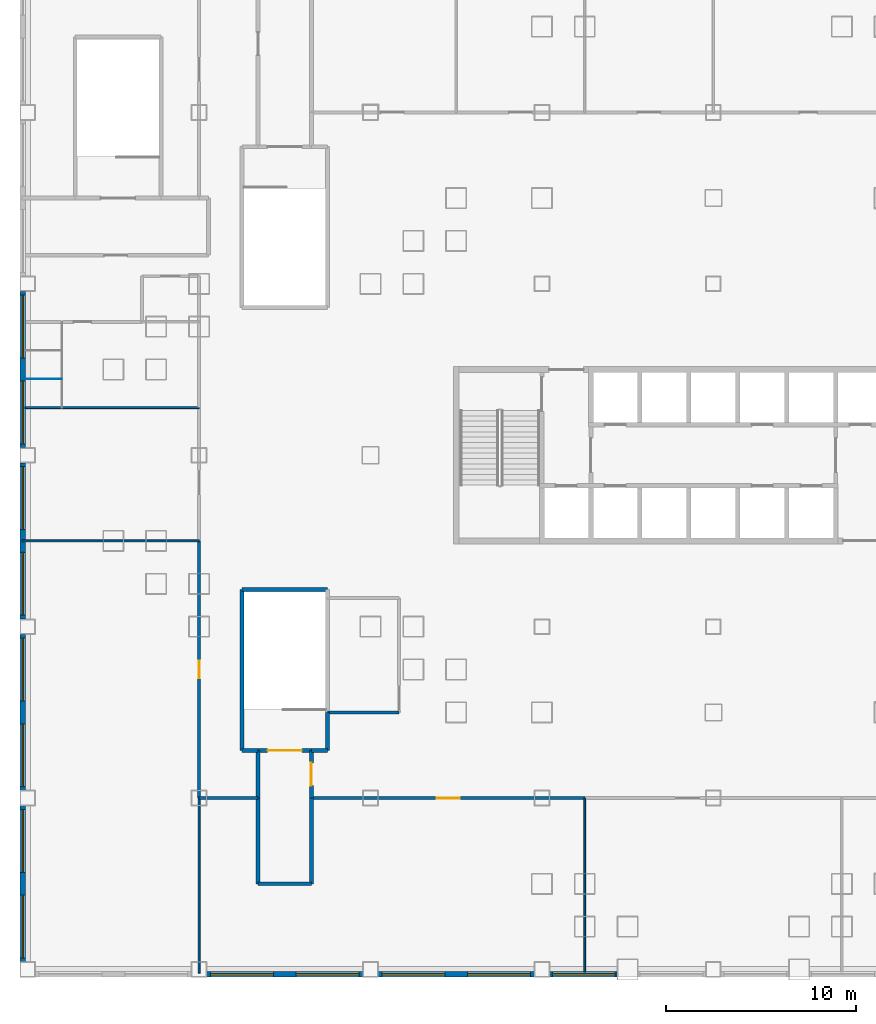
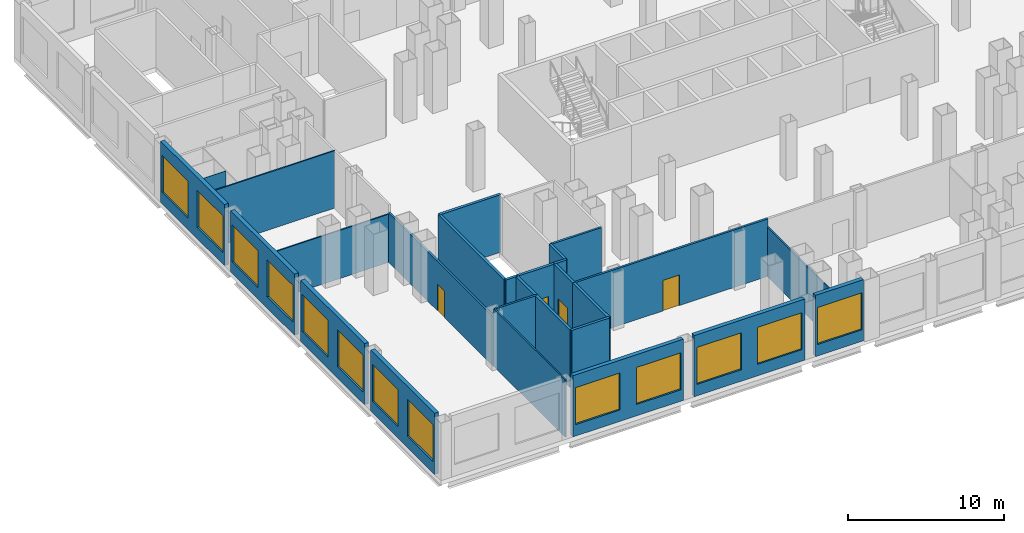
# One storey, part 2 of 13: 27 walls, 13 windows, 4 doors, 17 openings.
"""IFC4 building model written with IfcOpenShell, lengths in metres."""

from ifc_helpers import new_model, si_unit, direction, frame, frame_2d, origin, place, context, subcontext, project, spatial, rectangle, extrude, material, layer, layer_set, type_object, element, fill, save


model = new_model("IFC4")

# Units and contexts
model_context = context("Model", 3, precision=1e-05, world=origin(), true_north=direction((0.0, 1.0)))
body_context = subcontext(model_context, "Body", "Model", "MODEL_VIEW")
ifc_project = project(units=[si_unit("LENGTHUNIT", "METRE"), si_unit("AREAUNIT", "SQUARE_METRE"), si_unit("VOLUMEUNIT", "CUBIC_METRE"), si_unit("PLANEANGLEUNIT", "RADIAN"), si_unit("MASSUNIT", "GRAM", prefix="KILO")], contexts=[model_context])

# Site, building, storey
site_placement = place(None, origin())
site = spatial("IfcSite", under=ifc_project, at=site_placement, CompositionType="ELEMENT")
building_placement = place(site_placement, origin())
building = spatial("IfcBuilding", under=site, at=building_placement, Name="Caravel Reach Hotel and Residences", CompositionType="ELEMENT")
storey_placement = place(building_placement, frame((0.0, 0.0, 28.800048828125)))
storey = spatial("IfcBuildingStorey", under=building, at=storey_placement, Name="L05", CompositionType="ELEMENT", Elevation=28.800048828125)

# Wall
ifc_material_1 = material(Name="Autoclaved aerated block wall")
ifc_layer_1 = layer(ifc_material_1, 0.199951171875)
ifc_layer_set_1 = layer_set([ifc_layer_1], Name="Compartment wall 200 mm EI 120")
wall_type_1 = type_object("IfcWallType", Name="Compartment wall 200 mm EI 120", PredefinedType="PARTITIONING", material=ifc_layer_set_1)
wall_1_placement = place(storey_placement, frame((7.60009765625, 4.5, 0.0), z_axis=(0.0, 0.0, 1.0), x_axis=(1.0, 0.0, 0.0)))
element("IfcWall", 1, at=wall_1_placement, inside=storey, type_object=wall_type_1, Name="L05 wall w052", PredefinedType="PARTITIONING", context=body_context, shape_type="SweptSolid", body=[
    extrude(rectangle(XDim=2.7998046875, YDim=0.199951171875, at=frame_2d((1.39990234375, 0.0))), origin(), (0.0, 0.0, 1.0), 4.5),
])

# Wall, opening, door
wall_2_placement = place(storey_placement, frame((10.39990234375, 9.0, 0.0), z_axis=(0.0, 0.0, 1.0), x_axis=(0.0, 1.0, 0.0)))
wall_2 = element("IfcWall", 2, at=wall_2_placement, inside=storey, type_object=wall_type_1, Name="L05 wall w063", PredefinedType="PARTITIONING", context=body_context, shape_type="SweptSolid", body=[
    extrude(rectangle(XDim=2.5, YDim=0.199951171875, at=frame_2d((1.25, 0.0))), origin(), (0.0, 0.0, 1.0), 4.5),
])
opening_1_placement = place(wall_2_placement, frame((0.64990234375, 0.0, 0.0)))
opening_1 = element("IfcOpeningElement", 3, at=opening_1_placement, cuts=wall_2, Name="Opening D05-018", PredefinedType="OPENING", context=body_context, shape_type="SweptSolid", body=[
    extrude(rectangle(XDim=1.199951171875, YDim=2.10009765625, at=frame_2d((0.60009765625, 1.050048828125))), frame((0.0, 0.10986328125, 0.0), z_axis=(0.0, -1.0, 0.0), x_axis=(1.0, 0.0, 0.0)), (0.0, 0.0, 1.0), 0.219970703125),
])
ifc_material_2 = material(Name="Steel fire door leaf", Category="steel")
door_type_1 = type_object("IfcDoorType", Name="Fire lobby door 1200 x 2100 EI 90", OperationType="SINGLE_SWING_LEFT", PredefinedType="DOOR", material=ifc_material_2)
door_1_placement = place(opening_1_placement, origin())
door_1 = element("IfcDoor", 4, at=door_1_placement, inside=storey, type_object=door_type_1, Name="door D05-018", OperationType="SINGLE_SWING_LEFT", OverallHeight=2.10009765625, OverallWidth=1.199951171875, PredefinedType="DOOR", context=body_context, shape_type="SweptSolid", body=[
    extrude(rectangle(XDim=1.199951171875, YDim=2.10009765625, at=frame_2d((0.60009765625, 1.050048828125))), frame((0.0, 0.02490234375, 0.0), z_axis=(0.0, -1.0, 0.0), x_axis=(1.0, 0.0, 0.0)), (0.0, 0.0, 1.0), 0.050048828125),
])
fill(opening_1, door_1)

# Walls
wall_3_placement = place(storey_placement, frame((10.39990234375, 4.5, 0.0), z_axis=(0.0, 0.0, 1.0), x_axis=(0.0, 1.0, 0.0)))
element("IfcWall", 5, at=wall_3_placement, inside=storey, type_object=wall_type_1, Name="L05 wall w064", PredefinedType="PARTITIONING", context=body_context, shape_type="SweptSolid", body=[
    extrude(rectangle(XDim=4.5, YDim=0.199951171875, at=frame_2d((2.25, 0.0))), origin(), (0.0, 0.0, 1.0), 4.5),
])
wall_4_placement = place(storey_placement, frame((7.60009765625, 9.0, 0.0), z_axis=(0.0, 0.0, 1.0), x_axis=(0.0, 1.0, 0.0)))
element("IfcWall", 6, at=wall_4_placement, inside=storey, type_object=wall_type_1, Name="L05 wall w080", PredefinedType="PARTITIONING", context=body_context, shape_type="SweptSolid", body=[
    extrude(rectangle(XDim=2.5, YDim=0.199951171875, at=frame_2d((1.25, 0.0))), origin(), (0.0, 0.0, 1.0), 4.5),
])
wall_5_placement = place(storey_placement, frame((7.60009765625, 4.5, 0.0), z_axis=(0.0, 0.0, 1.0), x_axis=(0.0, 1.0, 0.0)))
element("IfcWall", 7, at=wall_5_placement, inside=storey, type_object=wall_type_1, Name="L05 wall w081", PredefinedType="PARTITIONING", context=body_context, shape_type="SweptSolid", body=[
    extrude(rectangle(XDim=4.5, YDim=0.199951171875, at=frame_2d((2.25, 0.0))), origin(), (0.0, 0.0, 1.0), 4.5),
])
ifc_material_3 = material(Name="Gypsum board on steel stud, fire-rated", Category="steel")
ifc_layer_2 = layer(ifc_material_3, 0.14990234375)
ifc_layer_set_2 = layer_set([ifc_layer_2], Name="Corridor wall 150 mm EI 60")
wall_type_2 = type_object("IfcWallType", Name="Corridor wall 150 mm EI 60", PredefinedType="PARTITIONING", material=ifc_layer_set_2)
wall_6_placement = place(storey_placement, frame((11.25, 13.5, 0.0), z_axis=(0.0, 0.0, 1.0), x_axis=(1.0, 0.0, 0.0)))
element("IfcWall", 8, at=wall_6_placement, inside=storey, type_object=wall_type_2, Name="L05 wall w001", PredefinedType="PARTITIONING", context=body_context, shape_type="SweptSolid", body=[
    extrude(rectangle(XDim=3.75, YDim=0.14990234375, at=frame_2d((1.875, 0.0))), origin(), (0.0, 0.0, 1.0), 4.5),
])
wall_7_placement = place(storey_placement, frame((4.5, 9.0, 0.0), z_axis=(0.0, 0.0, 1.0), x_axis=(1.0, 0.0, 0.0)))
element("IfcWall", 9, at=wall_7_placement, inside=storey, type_object=wall_type_2, Name="L05 wall w014", PredefinedType="PARTITIONING", context=body_context, shape_type="SweptSolid", body=[
    extrude(rectangle(XDim=3.10009765625, YDim=0.14990234375, at=frame_2d((1.550048828125, 0.0))), origin(), (0.0, 0.0, 1.0), 4.5),
])

# Wall, opening, door
wall_8_placement = place(storey_placement, frame((10.39990234375, 9.0, 0.0), z_axis=(0.0, 0.0, 1.0), x_axis=(1.0, 0.0, 0.0)))
wall_8 = element("IfcWall", 10, at=wall_8_placement, inside=storey, type_object=wall_type_2, Name="L05 wall w015", PredefinedType="PARTITIONING", context=body_context, shape_type="SweptSolid", body=[
    extrude(rectangle(XDim=14.35009765625, YDim=0.14990234375, at=frame_2d((7.175048828125, 0.0))), origin(), (0.0, 0.0, 1.0), 4.5),
])
opening_2_placement = place(wall_8_placement, frame((6.574951171875, 0.0, 0.0)))
opening_2 = element("IfcOpeningElement", 11, at=opening_2_placement, cuts=wall_8, Name="Opening D05-038", PredefinedType="OPENING", context=body_context, shape_type="SweptSolid", body=[
    extrude(rectangle(XDim=1.199951171875, YDim=2.39990234375, at=frame_2d((0.60009765625, 1.199951171875))), frame((0.0, 0.0849609375, 0.0), z_axis=(0.0, -1.0, 0.0), x_axis=(1.0, 0.0, 0.0)), (0.0, 0.0, 1.0), 0.169921875),
])
ifc_material_4 = material(Name="Timber and steel door leaf", Category="steel")
door_type_2 = type_object("IfcDoorType", Name="Glazed door 1200 x 2400", OperationType="SINGLE_SWING_LEFT", PredefinedType="DOOR", material=ifc_material_4)
door_2_placement = place(opening_2_placement, origin())
door_2 = element("IfcDoor", 12, at=door_2_placement, inside=storey, type_object=door_type_2, Name="door D05-038", OperationType="SINGLE_SWING_RIGHT", OverallHeight=2.39990234375, OverallWidth=1.199951171875, PredefinedType="DOOR", context=body_context, shape_type="SweptSolid", body=[
    extrude(rectangle(XDim=1.199951171875, YDim=2.39990234375, at=frame_2d((0.60009765625, 1.199951171875))), frame((0.0, 0.02490234375, 0.0), z_axis=(0.0, -1.0, 0.0), x_axis=(1.0, 0.0, 0.0)), (0.0, 0.0, 1.0), 0.050048828125),
])
fill(opening_2, door_2)

wall_9_placement = place(storey_placement, frame((4.5, 9.0, 0.0), z_axis=(0.0, 0.0, 1.0), x_axis=(0.0, 1.0, 0.0)))
wall_9 = element("IfcWall", 13, at=wall_9_placement, inside=storey, type_object=wall_type_2, Name="L05 wall w022", PredefinedType="PARTITIONING", context=body_context, shape_type="SweptSolid", body=[
    extrude(rectangle(XDim=13.5, YDim=0.14990234375, at=frame_2d((6.75, 0.0))), origin(), (0.0, 0.0, 1.0), 3.8798828125),
])
opening_3_placement = place(wall_9_placement, frame((6.300048828125, 0.0, 0.0)))
opening_3 = element("IfcOpeningElement", 14, at=opening_3_placement, cuts=wall_9, Name="Opening D05-028", PredefinedType="OPENING", context=body_context, shape_type="SweptSolid", body=[
    extrude(rectangle(XDim=0.89990234375, YDim=2.10009765625, at=frame_2d((0.449951171875, 1.050048828125))), frame((0.0, 0.0849609375, 0.0), z_axis=(0.0, -1.0, 0.0), x_axis=(1.0, 0.0, 0.0)), (0.0, 0.0, 1.0), 0.169921875),
])
ifc_material_5 = material(Name="Timber and steel door leaf", Category="steel")
door_type_3 = type_object("IfcDoorType", Name="Door 900 x 2100 timber", OperationType="SINGLE_SWING_LEFT", PredefinedType="DOOR", material=ifc_material_5)
door_3_placement = place(opening_3_placement, origin())
door_3 = element("IfcDoor", 15, at=door_3_placement, inside=storey, type_object=door_type_3, Name="door D05-028", OperationType="SINGLE_SWING_LEFT", OverallHeight=2.10009765625, OverallWidth=0.89990234375, PredefinedType="DOOR", context=body_context, shape_type="SweptSolid", body=[
    extrude(rectangle(XDim=0.89990234375, YDim=2.10009765625, at=frame_2d((0.449951171875, 1.050048828125))), frame((0.0, 0.02490234375, 0.0), z_axis=(0.0, -1.0, 0.0), x_axis=(1.0, 0.0, 0.0)), (0.0, 0.0, 1.0), 0.050048828125),
])
fill(opening_3, door_3)

# Wall, openings, windows
ifc_material_6 = material(Name="Insulated wall, stone cladding", Category="masonry")
ifc_layer_3 = layer(ifc_material_6, 0.300048828125)
ifc_layer_set_3 = layer_set([ifc_layer_3], Name="EW2 Podium stone-clad wall")
wall_type_3 = type_object("IfcWallType", Name="EW2 Podium stone-clad wall", PredefinedType="SOLIDWALL", material=ifc_layer_set_3)
wall_10_placement = place(storey_placement, frame((-4.75, 35.60009765625, 0.0), z_axis=(0.0, 0.0, 1.0), x_axis=(0.0, -1.0, 0.0)))
wall_10 = element("IfcWall", 16, at=wall_10_placement, inside=storey, type_object=wall_type_3, Name="External wall L05 W3.3", PredefinedType="SOLIDWALL", context=body_context, shape_type="SweptSolid", body=[
    extrude(rectangle(XDim=8.2001953125, YDim=0.300048828125, at=frame_2d((4.10009765625, 0.0))), origin(), (0.0, 0.0, 1.0), 4.800048828125),
])
opening_4_placement = place(wall_10_placement, frame((0.199951171875, 0.0, 0.89990234375)))
opening_4 = element("IfcOpeningElement", 17, at=opening_4_placement, cuts=wall_10, Name="Opening WN32", PredefinedType="OPENING", context=body_context, shape_type="SweptSolid", body=[
    extrude(rectangle(XDim=3.300048828125, YDim=2.89990234375, at=frame_2d((1.64990234375, 1.449951171875))), frame((0.0, 0.159912109375, 0.0), z_axis=(0.0, -1.0, 0.0), x_axis=(1.0, 0.0, 0.0)), (0.0, 0.0, 1.0), 0.320068359375),
])
opening_5_placement = place(wall_10_placement, frame((4.699951171875, 0.0, 0.89990234375)))
opening_5 = element("IfcOpeningElement", 18, at=opening_5_placement, cuts=wall_10, Name="Opening WN32", PredefinedType="OPENING", context=body_context, shape_type="SweptSolid", body=[
    extrude(rectangle(XDim=3.300048828125, YDim=2.89990234375, at=frame_2d((1.64990234375, 1.449951171875))), frame((0.0, 0.159912109375, 0.0), z_axis=(0.0, -1.0, 0.0), x_axis=(1.0, 0.0, 0.0)), (0.0, 0.0, 1.0), 0.320068359375),
])
ifc_material_7 = material(Name="Dark low-e glazing in black aluminium frame", Category="aluminium")
window_type = type_object("IfcWindowType", Name="Podium window 3300 x 2900", PartitioningType="SINGLE_PANEL", PredefinedType="WINDOW", material=ifc_material_7)
window_1_placement = place(opening_4_placement, origin())
window_1 = element("IfcWindow", 19, at=window_1_placement, inside=storey, type_object=window_type, Name="Window L05 W3.3.1", OverallHeight=2.89990234375, OverallWidth=3.300048828125, PartitioningType="SINGLE_PANEL", PredefinedType="WINDOW", context=body_context, shape_type="SweptSolid", body=[
    extrude(rectangle(XDim=3.300048828125, YDim=2.89990234375, at=frame_2d((1.64990234375, 1.449951171875))), frame((0.0, 0.030029296875, 0.0), z_axis=(0.0, -1.0, 0.0), x_axis=(1.0, 0.0, 0.0)), (0.0, 0.0, 1.0), 0.06005859375),
])
fill(opening_4, window_1)
window_2_placement = place(opening_5_placement, origin())
window_2 = element("IfcWindow", 20, at=window_2_placement, inside=storey, type_object=window_type, Name="Window L05 W3.3.2", OverallHeight=2.89990234375, OverallWidth=3.300048828125, PartitioningType="SINGLE_PANEL", PredefinedType="WINDOW", context=body_context, shape_type="SweptSolid", body=[
    extrude(rectangle(XDim=3.300048828125, YDim=2.89990234375, at=frame_2d((1.64990234375, 1.449951171875))), frame((0.0, 0.030029296875, 0.0), z_axis=(0.0, -1.0, 0.0), x_axis=(1.0, 0.0, 0.0)), (0.0, 0.0, 1.0), 0.06005859375),
])
fill(opening_5, window_2)

wall_11_placement = place(storey_placement, frame((-4.75, 26.60009765625, 0.0), z_axis=(0.0, 0.0, 1.0), x_axis=(0.0, -1.0, 0.0)))
wall_11 = element("IfcWall", 21, at=wall_11_placement, inside=storey, type_object=wall_type_3, Name="External wall L05 W3.4", PredefinedType="SOLIDWALL", context=body_context, shape_type="SweptSolid", body=[
    extrude(rectangle(XDim=8.2001953125, YDim=0.300048828125, at=frame_2d((4.10009765625, 0.0))), origin(), (0.0, 0.0, 1.0), 4.800048828125),
])
opening_6_placement = place(wall_11_placement, frame((0.199951171875, 0.0, 0.89990234375)))
opening_6 = element("IfcOpeningElement", 22, at=opening_6_placement, cuts=wall_11, Name="Opening WN32", PredefinedType="OPENING", context=body_context, shape_type="SweptSolid", body=[
    extrude(rectangle(XDim=3.300048828125, YDim=2.89990234375, at=frame_2d((1.64990234375, 1.449951171875))), frame((0.0, 0.159912109375, 0.0), z_axis=(0.0, -1.0, 0.0), x_axis=(1.0, 0.0, 0.0)), (0.0, 0.0, 1.0), 0.320068359375),
])
opening_7_placement = place(wall_11_placement, frame((4.699951171875, 0.0, 0.89990234375)))
opening_7 = element("IfcOpeningElement", 23, at=opening_7_placement, cuts=wall_11, Name="Opening WN32", PredefinedType="OPENING", context=body_context, shape_type="SweptSolid", body=[
    extrude(rectangle(XDim=3.300048828125, YDim=2.89990234375, at=frame_2d((1.64990234375, 1.449951171875))), frame((0.0, 0.159912109375, 0.0), z_axis=(0.0, -1.0, 0.0), x_axis=(1.0, 0.0, 0.0)), (0.0, 0.0, 1.0), 0.320068359375),
])
window_3_placement = place(opening_6_placement, origin())
window_3 = element("IfcWindow", 24, at=window_3_placement, inside=storey, type_object=window_type, Name="Window L05 W3.4.1", OverallHeight=2.89990234375, OverallWidth=3.300048828125, PartitioningType="SINGLE_PANEL", PredefinedType="WINDOW", context=body_context, shape_type="SweptSolid", body=[
    extrude(rectangle(XDim=3.300048828125, YDim=2.89990234375, at=frame_2d((1.64990234375, 1.449951171875))), frame((0.0, 0.030029296875, 0.0), z_axis=(0.0, -1.0, 0.0), x_axis=(1.0, 0.0, 0.0)), (0.0, 0.0, 1.0), 0.06005859375),
])
fill(opening_6, window_3)
window_4_placement = place(opening_7_placement, origin())
window_4 = element("IfcWindow", 25, at=window_4_placement, inside=storey, type_object=window_type, Name="Window L05 W3.4.2", OverallHeight=2.89990234375, OverallWidth=3.300048828125, PartitioningType="SINGLE_PANEL", PredefinedType="WINDOW", context=body_context, shape_type="SweptSolid", body=[
    extrude(rectangle(XDim=3.300048828125, YDim=2.89990234375, at=frame_2d((1.64990234375, 1.449951171875))), frame((0.0, 0.030029296875, 0.0), z_axis=(0.0, -1.0, 0.0), x_axis=(1.0, 0.0, 0.0)), (0.0, 0.0, 1.0), 0.06005859375),
])
fill(opening_7, window_4)

wall_12_placement = place(storey_placement, frame((-4.75, 17.60009765625, 0.0), z_axis=(0.0, 0.0, 1.0), x_axis=(0.0, -1.0, 0.0)))
wall_12 = element("IfcWall", 26, at=wall_12_placement, inside=storey, type_object=wall_type_3, Name="External wall L05 W3.5", PredefinedType="SOLIDWALL", context=body_context, shape_type="SweptSolid", body=[
    extrude(rectangle(XDim=8.2001953125, YDim=0.300048828125, at=frame_2d((4.10009765625, 0.0))), origin(), (0.0, 0.0, 1.0), 4.800048828125),
])
opening_8_placement = place(wall_12_placement, frame((0.199951171875, 0.0, 0.89990234375)))
opening_8 = element("IfcOpeningElement", 27, at=opening_8_placement, cuts=wall_12, Name="Opening WN32", PredefinedType="OPENING", context=body_context, shape_type="SweptSolid", body=[
    extrude(rectangle(XDim=3.300048828125, YDim=2.89990234375, at=frame_2d((1.64990234375, 1.449951171875))), frame((0.0, 0.159912109375, 0.0), z_axis=(0.0, -1.0, 0.0), x_axis=(1.0, 0.0, 0.0)), (0.0, 0.0, 1.0), 0.320068359375),
])
opening_9_placement = place(wall_12_placement, frame((4.699951171875, 0.0, 0.89990234375)))
opening_9 = element("IfcOpeningElement", 28, at=opening_9_placement, cuts=wall_12, Name="Opening WN32", PredefinedType="OPENING", context=body_context, shape_type="SweptSolid", body=[
    extrude(rectangle(XDim=3.300048828125, YDim=2.89990234375, at=frame_2d((1.64990234375, 1.449951171875))), frame((0.0, 0.159912109375, 0.0), z_axis=(0.0, -1.0, 0.0), x_axis=(1.0, 0.0, 0.0)), (0.0, 0.0, 1.0), 0.320068359375),
])
window_5_placement = place(opening_8_placement, origin())
window_5 = element("IfcWindow", 29, at=window_5_placement, inside=storey, type_object=window_type, Name="Window L05 W3.5.1", OverallHeight=2.89990234375, OverallWidth=3.300048828125, PartitioningType="SINGLE_PANEL", PredefinedType="WINDOW", context=body_context, shape_type="SweptSolid", body=[
    extrude(rectangle(XDim=3.300048828125, YDim=2.89990234375, at=frame_2d((1.64990234375, 1.449951171875))), frame((0.0, 0.030029296875, 0.0), z_axis=(0.0, -1.0, 0.0), x_axis=(1.0, 0.0, 0.0)), (0.0, 0.0, 1.0), 0.06005859375),
])
fill(opening_8, window_5)
window_6_placement = place(opening_9_placement, origin())
window_6 = element("IfcWindow", 30, at=window_6_placement, inside=storey, type_object=window_type, Name="Window L05 W3.5.2", OverallHeight=2.89990234375, OverallWidth=3.300048828125, PartitioningType="SINGLE_PANEL", PredefinedType="WINDOW", context=body_context, shape_type="SweptSolid", body=[
    extrude(rectangle(XDim=3.300048828125, YDim=2.89990234375, at=frame_2d((1.64990234375, 1.449951171875))), frame((0.0, 0.030029296875, 0.0), z_axis=(0.0, -1.0, 0.0), x_axis=(1.0, 0.0, 0.0)), (0.0, 0.0, 1.0), 0.06005859375),
])
fill(opening_9, window_6)

wall_13_placement = place(storey_placement, frame((-4.75, 8.60009765625, 0.0), z_axis=(0.0, 0.0, 1.0), x_axis=(0.0, -1.0, 0.0)))
wall_13 = element("IfcWall", 31, at=wall_13_placement, inside=storey, type_object=wall_type_3, Name="External wall L05 W3.6", PredefinedType="SOLIDWALL", context=body_context, shape_type="SweptSolid", body=[
    extrude(rectangle(XDim=8.2001953125, YDim=0.300048828125, at=frame_2d((4.10009765625, 0.0))), origin(), (0.0, 0.0, 1.0), 4.800048828125),
])
opening_10_placement = place(wall_13_placement, frame((0.199951171875, 0.0, 0.89990234375)))
opening_10 = element("IfcOpeningElement", 32, at=opening_10_placement, cuts=wall_13, Name="Opening WN32", PredefinedType="OPENING", context=body_context, shape_type="SweptSolid", body=[
    extrude(rectangle(XDim=3.300048828125, YDim=2.89990234375, at=frame_2d((1.64990234375, 1.449951171875))), frame((0.0, 0.159912109375, 0.0), z_axis=(0.0, -1.0, 0.0), x_axis=(1.0, 0.0, 0.0)), (0.0, 0.0, 1.0), 0.320068359375),
])
opening_11_placement = place(wall_13_placement, frame((4.699951171875, 0.0, 0.89990234375)))
opening_11 = element("IfcOpeningElement", 33, at=opening_11_placement, cuts=wall_13, Name="Opening WN32", PredefinedType="OPENING", context=body_context, shape_type="SweptSolid", body=[
    extrude(rectangle(XDim=3.300048828125, YDim=2.89990234375, at=frame_2d((1.64990234375, 1.449951171875))), frame((0.0, 0.159912109375, 0.0), z_axis=(0.0, -1.0, 0.0), x_axis=(1.0, 0.0, 0.0)), (0.0, 0.0, 1.0), 0.320068359375),
])
window_7_placement = place(opening_10_placement, origin())
window_7 = element("IfcWindow", 34, at=window_7_placement, inside=storey, type_object=window_type, Name="Window L05 W3.6.1", OverallHeight=2.89990234375, OverallWidth=3.300048828125, PartitioningType="SINGLE_PANEL", PredefinedType="WINDOW", context=body_context, shape_type="SweptSolid", body=[
    extrude(rectangle(XDim=3.300048828125, YDim=2.89990234375, at=frame_2d((1.64990234375, 1.449951171875))), frame((0.0, 0.030029296875, 0.0), z_axis=(0.0, -1.0, 0.0), x_axis=(1.0, 0.0, 0.0)), (0.0, 0.0, 1.0), 0.06005859375),
])
fill(opening_10, window_7)
window_8_placement = place(opening_11_placement, origin())
window_8 = element("IfcWindow", 35, at=window_8_placement, inside=storey, type_object=window_type, Name="Window L05 W3.6.2", OverallHeight=2.89990234375, OverallWidth=3.300048828125, PartitioningType="SINGLE_PANEL", PredefinedType="WINDOW", context=body_context, shape_type="SweptSolid", body=[
    extrude(rectangle(XDim=3.300048828125, YDim=2.89990234375, at=frame_2d((1.64990234375, 1.449951171875))), frame((0.0, 0.030029296875, 0.0), z_axis=(0.0, -1.0, 0.0), x_axis=(1.0, 0.0, 0.0)), (0.0, 0.0, 1.0), 0.06005859375),
])
fill(opening_11, window_8)

wall_14_placement = place(storey_placement, frame((4.89990234375, -0.25, 0.0), z_axis=(0.0, 0.0, 1.0), x_axis=(1.0, 0.0, 0.0)))
wall_14 = element("IfcWall", 36, at=wall_14_placement, inside=storey, type_object=wall_type_3, Name="External wall L05 S4.2", PredefinedType="SOLIDWALL", context=body_context, shape_type="SweptSolid", body=[
    extrude(rectangle(XDim=8.2001953125, YDim=0.300048828125, at=frame_2d((4.10009765625, 0.0))), origin(), (0.0, 0.0, 1.0), 4.800048828125),
])
opening_12_placement = place(wall_14_placement, frame((0.199951171875, 0.0, 0.89990234375)))
opening_12 = element("IfcOpeningElement", 37, at=opening_12_placement, cuts=wall_14, Name="Opening WN32", PredefinedType="OPENING", context=body_context, shape_type="SweptSolid", body=[
    extrude(rectangle(XDim=3.300048828125, YDim=2.89990234375, at=frame_2d((1.64990234375, 1.449951171875))), frame((0.0, 0.159912109375, 0.0), z_axis=(0.0, -1.0, 0.0), x_axis=(1.0, 0.0, 0.0)), (0.0, 0.0, 1.0), 0.320068359375),
])
opening_13_placement = place(wall_14_placement, frame((4.699951171875, 0.0, 0.89990234375)))
opening_13 = element("IfcOpeningElement", 38, at=opening_13_placement, cuts=wall_14, Name="Opening WN32", PredefinedType="OPENING", context=body_context, shape_type="SweptSolid", body=[
    extrude(rectangle(XDim=3.300048828125, YDim=2.89990234375, at=frame_2d((1.64990234375, 1.449951171875))), frame((0.0, 0.159912109375, 0.0), z_axis=(0.0, -1.0, 0.0), x_axis=(1.0, 0.0, 0.0)), (0.0, 0.0, 1.0), 0.320068359375),
])
window_9_placement = place(opening_12_placement, origin())
window_9 = element("IfcWindow", 39, at=window_9_placement, inside=storey, type_object=window_type, Name="Window L05 S4.2.1", OverallHeight=2.89990234375, OverallWidth=3.300048828125, PartitioningType="SINGLE_PANEL", PredefinedType="WINDOW", context=body_context, shape_type="SweptSolid", body=[
    extrude(rectangle(XDim=3.300048828125, YDim=2.89990234375, at=frame_2d((1.64990234375, 1.449951171875))), frame((0.0, 0.030029296875, 0.0), z_axis=(0.0, -1.0, 0.0), x_axis=(1.0, 0.0, 0.0)), (0.0, 0.0, 1.0), 0.06005859375),
])
fill(opening_12, window_9)
window_10_placement = place(opening_13_placement, origin())
window_10 = element("IfcWindow", 40, at=window_10_placement, inside=storey, type_object=window_type, Name="Window L05 S4.2.2", OverallHeight=2.89990234375, OverallWidth=3.300048828125, PartitioningType="SINGLE_PANEL", PredefinedType="WINDOW", context=body_context, shape_type="SweptSolid", body=[
    extrude(rectangle(XDim=3.300048828125, YDim=2.89990234375, at=frame_2d((1.64990234375, 1.449951171875))), frame((0.0, 0.030029296875, 0.0), z_axis=(0.0, -1.0, 0.0), x_axis=(1.0, 0.0, 0.0)), (0.0, 0.0, 1.0), 0.06005859375),
])
fill(opening_13, window_10)

wall_15_placement = place(storey_placement, frame((13.89990234375, -0.25, 0.0), z_axis=(0.0, 0.0, 1.0), x_axis=(1.0, 0.0, 0.0)))
wall_15 = element("IfcWall", 41, at=wall_15_placement, inside=storey, type_object=wall_type_3, Name="External wall L05 S4.3", PredefinedType="SOLIDWALL", context=body_context, shape_type="SweptSolid", body=[
    extrude(rectangle(XDim=8.2001953125, YDim=0.300048828125, at=frame_2d((4.10009765625, 0.0))), origin(), (0.0, 0.0, 1.0), 4.800048828125),
])
opening_14_placement = place(wall_15_placement, frame((0.199951171875, 0.0, 0.89990234375)))
opening_14 = element("IfcOpeningElement", 42, at=opening_14_placement, cuts=wall_15, Name="Opening WN32", PredefinedType="OPENING", context=body_context, shape_type="SweptSolid", body=[
    extrude(rectangle(XDim=3.300048828125, YDim=2.89990234375, at=frame_2d((1.64990234375, 1.449951171875))), frame((0.0, 0.159912109375, 0.0), z_axis=(0.0, -1.0, 0.0), x_axis=(1.0, 0.0, 0.0)), (0.0, 0.0, 1.0), 0.320068359375),
])
opening_15_placement = place(wall_15_placement, frame((4.699951171875, 0.0, 0.89990234375)))
opening_15 = element("IfcOpeningElement", 43, at=opening_15_placement, cuts=wall_15, Name="Opening WN32", PredefinedType="OPENING", context=body_context, shape_type="SweptSolid", body=[
    extrude(rectangle(XDim=3.300048828125, YDim=2.89990234375, at=frame_2d((1.64990234375, 1.449951171875))), frame((0.0, 0.159912109375, 0.0), z_axis=(0.0, -1.0, 0.0), x_axis=(1.0, 0.0, 0.0)), (0.0, 0.0, 1.0), 0.320068359375),
])
window_11_placement = place(opening_14_placement, origin())
window_11 = element("IfcWindow", 44, at=window_11_placement, inside=storey, type_object=window_type, Name="Window L05 S4.3.1", OverallHeight=2.89990234375, OverallWidth=3.300048828125, PartitioningType="SINGLE_PANEL", PredefinedType="WINDOW", context=body_context, shape_type="SweptSolid", body=[
    extrude(rectangle(XDim=3.300048828125, YDim=2.89990234375, at=frame_2d((1.64990234375, 1.449951171875))), frame((0.0, 0.030029296875, 0.0), z_axis=(0.0, -1.0, 0.0), x_axis=(1.0, 0.0, 0.0)), (0.0, 0.0, 1.0), 0.06005859375),
])
fill(opening_14, window_11)
window_12_placement = place(opening_15_placement, origin())
window_12 = element("IfcWindow", 45, at=window_12_placement, inside=storey, type_object=window_type, Name="Window L05 S4.3.2", OverallHeight=2.89990234375, OverallWidth=3.300048828125, PartitioningType="SINGLE_PANEL", PredefinedType="WINDOW", context=body_context, shape_type="SweptSolid", body=[
    extrude(rectangle(XDim=3.300048828125, YDim=2.89990234375, at=frame_2d((1.64990234375, 1.449951171875))), frame((0.0, 0.030029296875, 0.0), z_axis=(0.0, -1.0, 0.0), x_axis=(1.0, 0.0, 0.0)), (0.0, 0.0, 1.0), 0.06005859375),
])
fill(opening_15, window_12)

# Wall, opening, window
wall_16_placement = place(storey_placement, frame((22.89990234375, -0.25, 0.0), z_axis=(0.0, 0.0, 1.0), x_axis=(1.0, 0.0, 0.0)))
wall_16 = element("IfcWall", 46, at=wall_16_placement, inside=storey, type_object=wall_type_3, Name="External wall L05 S4.4", PredefinedType="SOLIDWALL", context=body_context, shape_type="SweptSolid", body=[
    extrude(rectangle(XDim=3.550048828125, YDim=0.300048828125, at=frame_2d((1.77490234375, 0.0))), origin(), (0.0, 0.0, 1.0), 4.800048828125),
])
opening_16_placement = place(wall_16_placement, frame((0.14990234375, 0.0, 0.89990234375)))
opening_16 = element("IfcOpeningElement", 47, at=opening_16_placement, cuts=wall_16, Name="Opening WN32", PredefinedType="OPENING", context=body_context, shape_type="SweptSolid", body=[
    extrude(rectangle(XDim=3.300048828125, YDim=2.89990234375, at=frame_2d((1.64990234375, 1.449951171875))), frame((0.0, 0.159912109375, 0.0), z_axis=(0.0, -1.0, 0.0), x_axis=(1.0, 0.0, 0.0)), (0.0, 0.0, 1.0), 0.320068359375),
])
window_13_placement = place(opening_16_placement, origin())
window_13 = element("IfcWindow", 48, at=window_13_placement, inside=storey, type_object=window_type, Name="Window L05 S4.4.1", OverallHeight=2.89990234375, OverallWidth=3.300048828125, PartitioningType="SINGLE_PANEL", PredefinedType="WINDOW", context=body_context, shape_type="SweptSolid", body=[
    extrude(rectangle(XDim=3.300048828125, YDim=2.89990234375, at=frame_2d((1.64990234375, 1.449951171875))), frame((0.0, 0.030029296875, 0.0), z_axis=(0.0, -1.0, 0.0), x_axis=(1.0, 0.0, 0.0)), (0.0, 0.0, 1.0), 0.06005859375),
])
fill(opening_16, window_13)

# Walls
ifc_material_8 = material(Name="Gypsum board on steel stud", Category="steel")
ifc_layer_4 = layer(ifc_material_8, 0.10009765625)
ifc_layer_set_4 = layer_set([ifc_layer_4], Name="Partition 100 mm")
wall_type_4 = type_object("IfcWallType", Name="Partition 100 mm", PredefinedType="PARTITIONING", material=ifc_layer_set_4)
wall_17_placement = place(storey_placement, frame((-4.7900390625, 22.5, 0.0), z_axis=(0.0, 0.0, 1.0), x_axis=(1.0, 0.0, 0.0)))
element("IfcWall", 49, at=wall_17_placement, inside=storey, type_object=wall_type_4, Name="L05 wall w032", PredefinedType="PARTITIONING", context=body_context, shape_type="SweptSolid", body=[
    extrude(rectangle(XDim=9.2900390625, YDim=0.10009765625, at=frame_2d((4.64501953125, 0.0))), origin(), (0.0, 0.0, 1.0), 3.780029296875),
])
wall_18_placement = place(storey_placement, frame((-4.6201171875, 29.5, 0.0), z_axis=(0.0, 0.0, 1.0), x_axis=(1.0, 0.0, 0.0)))
element("IfcWall", 50, at=wall_18_placement, inside=storey, type_object=wall_type_4, Name="L05 wall w033", PredefinedType="PARTITIONING", context=body_context, shape_type="SweptSolid", body=[
    extrude(rectangle(XDim=9.1201171875, YDim=0.10009765625, at=frame_2d((4.56005859375, 0.0))), origin(), (0.0, 0.0, 1.0), 4.5),
])
wall_19_placement = place(storey_placement, frame((24.75, -0.1201171875, 0.0), z_axis=(0.0, 0.0, 1.0), x_axis=(0.0, 1.0, 0.0)))
element("IfcWall", 51, at=wall_19_placement, inside=storey, type_object=wall_type_4, Name="L05 wall w037", PredefinedType="PARTITIONING", context=body_context, shape_type="SweptSolid", body=[
    extrude(rectangle(XDim=9.1201171875, YDim=0.10009765625, at=frame_2d((4.56005859375, 0.0))), origin(), (0.0, 0.0, 1.0), 3.8798828125),
])
wall_20_placement = place(storey_placement, frame((4.5, -0.18994140625, 0.0), z_axis=(0.0, 0.0, 1.0), x_axis=(0.0, 1.0, 0.0)))
element("IfcWall", 52, at=wall_20_placement, inside=storey, type_object=wall_type_4, Name="L05 wall w041", PredefinedType="PARTITIONING", context=body_context, shape_type="SweptSolid", body=[
    extrude(rectangle(XDim=9.18994140625, YDim=0.10009765625, at=frame_2d((4.594970703125, 0.0))), origin(), (0.0, 0.0, 1.0), 4.5),
])
ifc_material_9 = material(Name="Concrete C60", Category="concrete")
ifc_layer_5 = layer(ifc_material_9, 0.199951171875)
ifc_layer_set_5 = layer_set([ifc_layer_5], Name="Stair enclosure wall 200 mm EI 120")
wall_type_5 = type_object("IfcWallType", Name="Stair enclosure wall 200 mm EI 120", PredefinedType="SHEAR", material=ifc_layer_set_5)
for number, where, z_axis, x_axis, name in (
    (53, (6.75, 11.5, 0.0), (0.0, 0.0, 1.0), (1.0, 0.0, 0.0), "L05 wall w082"),
    (54, (10.39990234375, 11.5, 0.0), (0.0, 0.0, 1.0), (1.0, 0.0, 0.0), "L05 wall w083"),
):
    element("IfcWall", number, at=place(storey_placement, frame(where, z_axis=z_axis, x_axis=x_axis)), inside=storey, type_object=wall_type_5, Name=name, PredefinedType="SHEAR", context=body_context, shape_type="SweptSolid", body=[
        extrude(rectangle(XDim=0.85009765625, YDim=0.199951171875, at=frame_2d((0.425048828125, 0.0))), origin(), (0.0, 0.0, 1.0), 4.5),
    ])

# Wall, opening, door
wall_21_placement = place(storey_placement, frame((7.60009765625, 11.5, 0.0), z_axis=(0.0, 0.0, 1.0), x_axis=(1.0, 0.0, 0.0)))
wall_21 = element("IfcWall", 55, at=wall_21_placement, inside=storey, type_object=wall_type_5, Name="L05 wall w084", PredefinedType="SHEAR", context=body_context, shape_type="SweptSolid", body=[
    extrude(rectangle(XDim=2.7998046875, YDim=0.199951171875, at=frame_2d((1.39990234375, 0.0))), origin(), (0.0, 0.0, 1.0), 4.5),
])
opening_17_placement = place(wall_21_placement, frame((0.5, 0.0, 0.0)))
opening_17 = element("IfcOpeningElement", 56, at=opening_17_placement, cuts=wall_21, Name="Opening D05-019", PredefinedType="OPENING", context=body_context, shape_type="SweptSolid", body=[
    extrude(rectangle(XDim=1.800048828125, YDim=2.10009765625, at=frame_2d((0.89990234375, 1.050048828125))), frame((0.0, 0.10986328125, 0.0), z_axis=(0.0, -1.0, 0.0), x_axis=(1.0, 0.0, 0.0)), (0.0, 0.0, 1.0), 0.219970703125),
])
ifc_material_10 = material(Name="Steel fire door leaf", Category="steel")
door_type_4 = type_object("IfcDoorType", Name="Stair door pair 1800 x 2100 EI 90", OperationType="DOUBLE_DOOR_SINGLE_SWING", PredefinedType="DOOR", material=ifc_material_10)
door_4_placement = place(opening_17_placement, origin())
door_4 = element("IfcDoor", 57, at=door_4_placement, inside=storey, type_object=door_type_4, Name="door D05-019", OperationType="DOUBLE_DOOR_SINGLE_SWING", OverallHeight=2.10009765625, OverallWidth=1.800048828125, PredefinedType="DOOR", context=body_context, shape_type="SweptSolid", body=[
    extrude(rectangle(XDim=1.800048828125, YDim=2.10009765625, at=frame_2d((0.89990234375, 1.050048828125))), frame((0.0, 0.02490234375, 0.0), z_axis=(0.0, -1.0, 0.0), x_axis=(1.0, 0.0, 0.0)), (0.0, 0.0, 1.0), 0.050048828125),
])
fill(opening_17, door_4)

# Walls
wall_22_placement = place(storey_placement, frame((6.75, 19.949951171875, 0.0), z_axis=(0.0, 0.0, 1.0), x_axis=(1.0, 0.0, 0.0)))
element("IfcWall", 58, at=wall_22_placement, inside=storey, type_object=wall_type_5, Name="L05 wall w089", PredefinedType="SHEAR", context=body_context, shape_type="SweptSolid", body=[
    extrude(rectangle(XDim=4.5, YDim=0.199951171875, at=frame_2d((2.25, 0.0))), origin(), (0.0, 0.0, 1.0), 4.5),
])
wall_23_placement = place(storey_placement, frame((11.25, 11.5, 0.0), z_axis=(0.0, 0.0, 1.0), x_axis=(0.0, 1.0, 0.0)))
element("IfcWall", 59, at=wall_23_placement, inside=storey, type_object=wall_type_5, Name="L05 wall w107", PredefinedType="SHEAR", context=body_context, shape_type="SweptSolid", body=[
    extrude(rectangle(XDim=2.0, YDim=0.199951171875, at=frame_2d((1.0, 0.0))), origin(), (0.0, 0.0, 1.0), 4.5),
])
wall_24_placement = place(storey_placement, frame((6.75, 11.5, 0.0), z_axis=(0.0, 0.0, 1.0), x_axis=(0.0, 1.0, 0.0)))
element("IfcWall", 60, at=wall_24_placement, inside=storey, type_object=wall_type_5, Name="L05 wall w117", PredefinedType="SHEAR", context=body_context, shape_type="SweptSolid", body=[
    extrude(rectangle(XDim=8.449951171875, YDim=0.199951171875, at=frame_2d((4.22509765625, 0.0))), origin(), (0.0, 0.0, 1.0), 4.5),
])
ifc_material_11 = material(Name="Laminate cubicle panel")
ifc_layer_6 = layer(ifc_material_11, 0.0400390625)
ifc_layer_set_6 = layer_set([ifc_layer_6], Name="WC cubicle partition 40 mm")
wall_type_6 = type_object("IfcWallType", Name="WC cubicle partition 40 mm", PredefinedType="PARTITIONING", material=ifc_layer_set_6)
wall_25_placement = place(storey_placement, frame((-4.6201171875, 31.0, 0.0), z_axis=(0.0, 0.0, 1.0), x_axis=(1.0, 0.0, 0.0)))
element("IfcWall", 61, at=wall_25_placement, inside=storey, type_object=wall_type_6, Name="L05 wall cbr03.d1", PredefinedType="PARTITIONING", context=body_context, shape_type="SweptSolid", body=[
    extrude(rectangle(XDim=1.920166015625, YDim=0.0400390625, at=frame_2d((0.9599609375, 0.0))), origin(), (0.0, 0.0, 1.0), 4.5),
])

save(model, "model.ifc")
